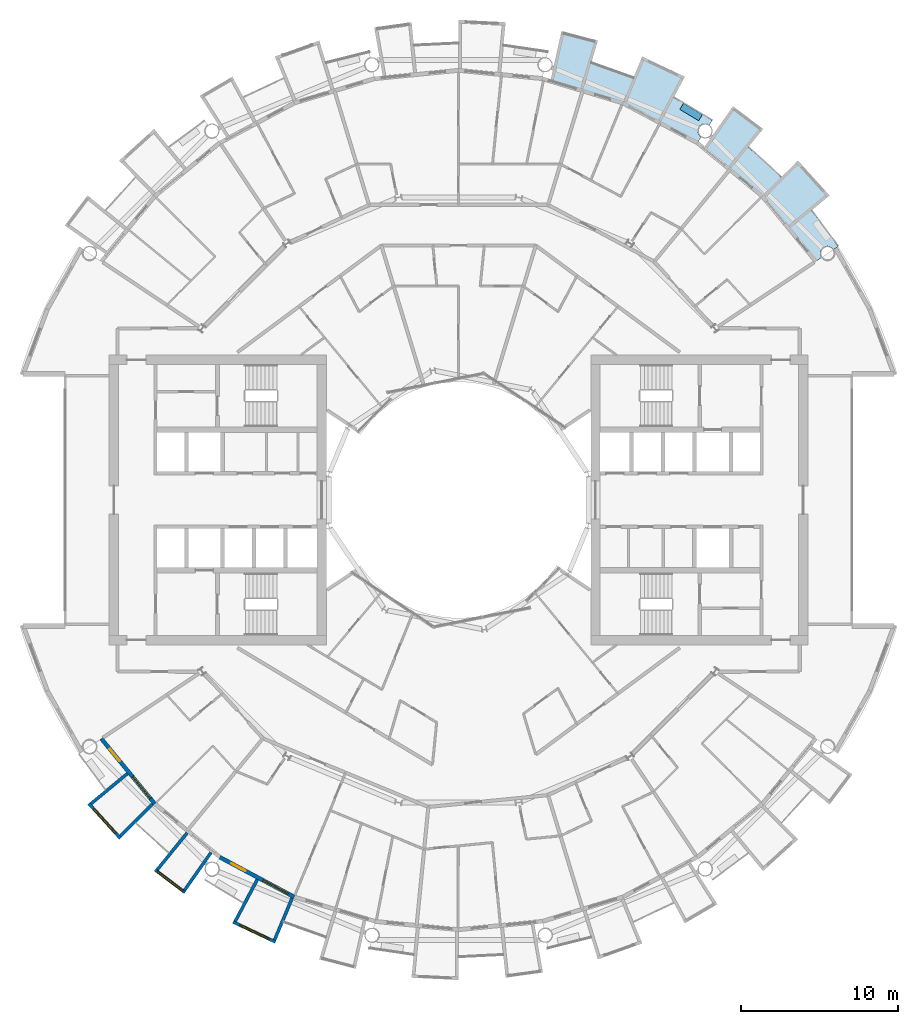
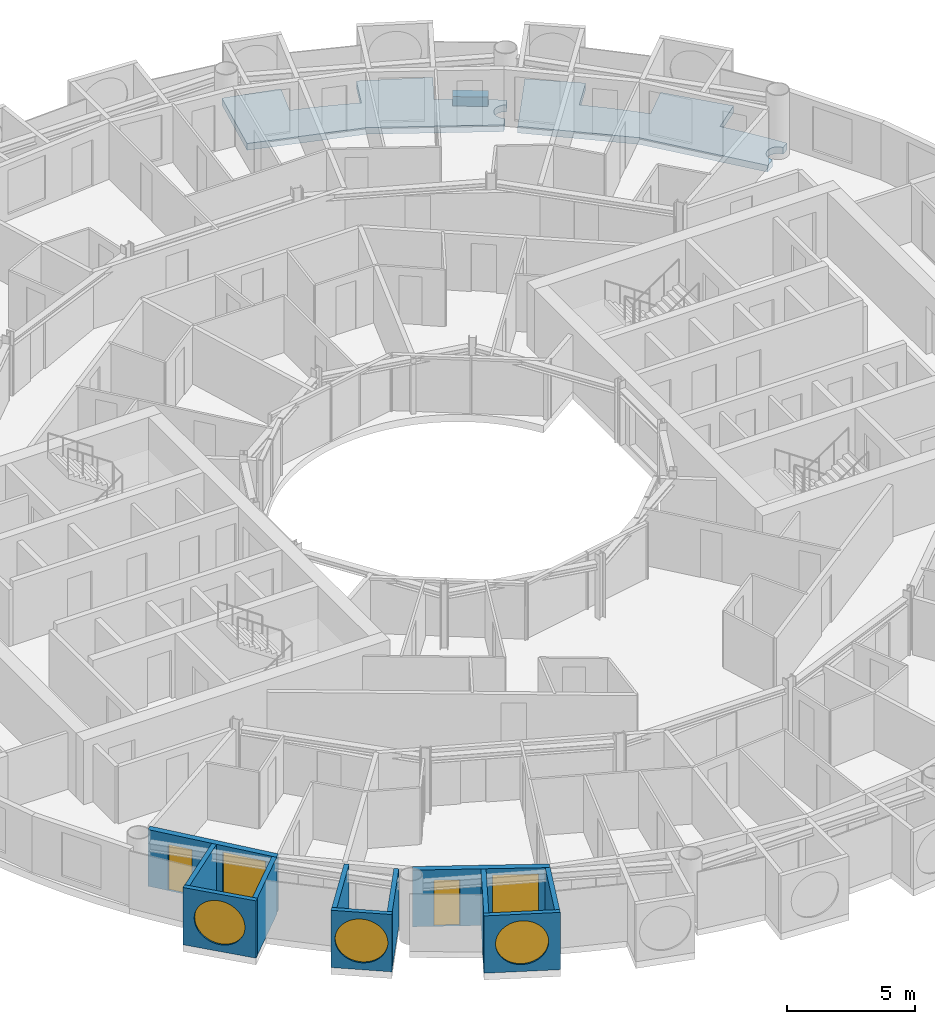
# One storey, part 13 of 27: 11 walls, 5 windows, 3 slabs, 2 doors, 7 openings.
"""IFC4 building model written with IfcOpenShell, lengths in metres."""

from ifc_helpers import new_model, si_unit, direction, frame, frame_2d, origin, place, context, subcontext, project, spatial, polyline, rectangle, circle, outline, extrude, material, layer, layer_set, type_object, element, fill, save


model = new_model("IFC4")

# Units and contexts
model_context = context("Model", 3, precision=1e-05, world=origin(), true_north=direction((0.0, 1.0)))
body_context = subcontext(model_context, "Body", "Model", "MODEL_VIEW")
ifc_project = project(units=[si_unit("LENGTHUNIT", "METRE"), si_unit("AREAUNIT", "SQUARE_METRE"), si_unit("VOLUMEUNIT", "CUBIC_METRE"), si_unit("PLANEANGLEUNIT", "RADIAN"), si_unit("MASSUNIT", "GRAM", prefix="KILO")], contexts=[model_context])

# Site, building, storey
site_placement = place(None, origin())
site = spatial("IfcSite", under=ifc_project, at=site_placement, CompositionType="ELEMENT")
building_placement = place(site_placement, origin())
building = spatial("IfcBuilding", under=site, at=building_placement, Name="Maasbend Ring Residences", CompositionType="ELEMENT")
storey_placement = place(building_placement, frame((0.0, 0.0, 120.800048828125)))
storey = spatial("IfcBuildingStorey", under=building, at=storey_placement, Name="L34", CompositionType="ELEMENT", Elevation=120.800048828125)

# Slabs
ifc_material_1 = material(Name="Planting with climbing greenery")
ifc_layer_1 = layer(ifc_material_1, 0.449951171875)
ifc_layer_set_1 = layer_set([ifc_layer_1], Name="PLANTER-LG")
slab_type_1 = type_object("IfcSlabType", Name="PLANTER-LG", PredefinedType="USERDEFINED", material=ifc_layer_set_1)
slab_1_placement = place(storey_placement, frame((0.0, 0.0, -0.030029296875)))
element("IfcSlab", 1, at=slab_1_placement, inside=storey, type_object=slab_type_1, Name="Planter with climbing greenery 2", ObjectType="PLANTER", PredefinedType="USERDEFINED", context=body_context, shape_type="SweptSolid", body=[
    extrude(outline(polyline([(15.490966796875, 24.48388671875), (14.291015625, 25.2041015625), (14.05908203125, 24.818115234375), (15.260009765625, 24.097900390625), (15.490966796875, 24.48388671875)])), origin(), (0.0, 0.0, 1.0), 0.449951171875),
])
ifc_material_2 = material(Name="Concrete C40/50", Category="concrete")
ifc_layer_2 = layer(ifc_material_2, 0.199951171875)
ifc_layer_set_2 = layer_set([ifc_layer_2], Name="Concrete C40/50")
slab_type_2 = type_object("IfcSlabType", Name="SL-LOGGIA", PredefinedType="FLOOR", material=ifc_layer_set_2)
slab_2_placement = place(storey_placement, frame((0.0, 0.0, -0.35009765625)))
element("IfcSlab", 2, at=slab_2_placement, inside=storey, type_object=slab_type_2, Name="Loggia floor 1", PredefinedType="FLOOR", context=body_context, shape_type="SweptSolid", body=[
    extrude(outline(polyline([(8.85400390625, 29.18701171875), (8.85400390625, 29.18701171875), (8.85400390625, 29.18701171875), (8.41796875, 27.751953125), (8.41796875, 27.751953125), (8.41796875, 27.751953125), (8.41796875, 27.751953125), (8.41796875, 27.751953125), (8.41796875, 27.751953125), (8.41796875, 27.7509765625), (8.41796875, 27.7509765625), (8.41796875, 27.7509765625), (8.41796875, 27.7509765625), (8.41796875, 27.7509765625), (8.4189453125, 27.7509765625), (8.4189453125, 27.7509765625), (8.4189453125, 27.7509765625), (8.4189453125, 27.7509765625), (8.4189453125, 27.7509765625), (8.4189453125, 27.7509765625), (9.322021484375, 27.4609375), (9.322021484375, 27.4609375), (10.215087890625, 27.14111328125), (10.215087890625, 27.14111328125), (11.096923828125, 26.79296875), (11.096923828125, 26.79296875), (11.096923828125, 26.79296875), (11.097900390625, 26.79296875), (11.097900390625, 26.79296875), (11.097900390625, 26.79296875), (11.097900390625, 26.79296875), (11.097900390625, 26.79296875), (11.097900390625, 26.79296875), (11.097900390625, 26.79296875), (11.097900390625, 26.79296875), (11.097900390625, 26.79296875), (11.097900390625, 26.79296875), (11.097900390625, 26.79296875), (11.097900390625, 26.79296875), (11.097900390625, 26.79296875), (11.097900390625, 26.79296875), (11.672119140625, 28.177978515625), (11.672119140625, 28.177978515625), (11.672119140625, 28.177978515625), (14.3779296875, 26.89892578125), (14.3779296875, 26.89892578125), (14.3779296875, 26.89892578125), (13.6708984375, 25.575927734375), (13.6708984375, 25.575927734375), (13.6708984375, 25.575927734375), (13.6708984375, 25.575927734375), (13.6708984375, 25.575927734375), (13.6708984375, 25.575927734375), (13.6708984375, 25.575927734375), (13.6708984375, 25.575927734375), (13.6708984375, 25.575927734375), (13.6708984375, 25.575927734375), (13.6708984375, 25.575927734375), (13.6708984375, 25.575927734375), (13.6708984375, 25.575927734375), (13.6708984375, 25.575927734375), (13.6708984375, 25.575927734375), (13.6708984375, 25.575927734375), (13.6708984375, 25.574951171875), (14.5, 25.114990234375), (14.5, 25.114990234375), (15.31396484375, 24.626953125), (15.31396484375, 24.626953125), (16.112060546875, 24.113037109375), (16.112060546875, 24.113037109375), (16.112060546875, 24.113037109375), (15.9208984375, 23.826904296875), (15.912109375, 23.8330078125), (15.902099609375, 23.839111328125), (15.89208984375, 23.844970703125), (15.883056640625, 23.85009765625), (15.873046875, 23.85595703125), (15.862060546875, 23.861083984375), (15.85205078125, 23.864990234375), (15.842041015625, 23.8701171875), (15.83203125, 23.8740234375), (15.821044921875, 23.8779296875), (15.81005859375, 23.881103515625), (15.800048828125, 23.885009765625), (15.7890625, 23.887939453125), (15.778076171875, 23.89111328125), (15.76708984375, 23.89306640625), (15.756103515625, 23.89599609375), (15.7451171875, 23.89794921875), (15.73388671875, 23.89892578125), (15.722900390625, 23.90087890625), (15.7119140625, 23.902099609375), (15.700927734375, 23.903076171875), (15.68994140625, 23.904052734375), (15.677978515625, 23.904052734375), (15.6669921875, 23.904052734375), (15.656005859375, 23.904052734375), (15.64501953125, 23.904052734375), (15.633056640625, 23.903076171875), (15.6220703125, 23.902099609375), (15.611083984375, 23.90087890625), (15.60009765625, 23.89892578125), (15.589111328125, 23.89794921875), (15.577880859375, 23.89599609375), (15.56689453125, 23.89306640625), (15.555908203125, 23.89111328125), (15.544921875, 23.887939453125), (15.533935546875, 23.885009765625), (15.52392578125, 23.881103515625), (15.512939453125, 23.8779296875), (15.5029296875, 23.8740234375), (15.491943359375, 23.8701171875), (15.48193359375, 23.864990234375), (15.471923828125, 23.861083984375), (15.4619140625, 23.85595703125), (15.451904296875, 23.85009765625), (15.44189453125, 23.844970703125), (15.431884765625, 23.839111328125), (15.423095703125, 23.8330078125), (15.4130859375, 23.826904296875), (15.404052734375, 23.821044921875), (15.39501953125, 23.81396484375), (15.385986328125, 23.80810546875), (15.376953125, 23.801025390625), (15.368896484375, 23.79296875), (15.360107421875, 23.785888671875), (15.35205078125, 23.778076171875), (15.343994140625, 23.77099609375), (15.3359375, 23.762939453125), (15.327880859375, 23.75390625), (15.321044921875, 23.74609375), (15.31396484375, 23.737060546875), (15.306884765625, 23.72900390625), (15.300048828125, 23.719970703125), (15.29296875, 23.7109375), (15.287109375, 23.700927734375), (15.281005859375, 23.69189453125), (15.27490234375, 23.681884765625), (15.26904296875, 23.673095703125), (15.263916015625, 23.6630859375), (15.259033203125, 23.653076171875), (15.25390625, 23.64306640625), (15.2490234375, 23.633056640625), (15.2451171875, 23.6220703125), (15.240966796875, 23.612060546875), (15.237060546875, 23.60107421875), (15.23291015625, 23.591064453125), (15.22998046875, 23.580078125), (15.22705078125, 23.569091796875), (15.22412109375, 23.55810546875), (15.220947265625, 23.548095703125), (15.218994140625, 23.537109375), (15.217041015625, 23.52587890625), (15.215087890625, 23.513916015625), (15.214111328125, 23.5029296875), (15.2119140625, 23.491943359375), (15.2109375, 23.48095703125), (15.2109375, 23.469970703125), (15.2099609375, 23.458984375), (15.2099609375, 23.447021484375), (15.2099609375, 23.43603515625), (15.2109375, 23.425048828125), (15.2109375, 23.4140625), (15.2119140625, 23.403076171875), (15.214111328125, 23.39111328125), (15.215087890625, 23.3798828125), (15.217041015625, 23.368896484375), (15.218994140625, 23.35791015625), (15.220947265625, 23.346923828125), (15.22412109375, 23.3359375), (15.22705078125, 23.325927734375), (15.22998046875, 23.31494140625), (15.23291015625, 23.303955078125), (15.237060546875, 23.29296875), (15.240966796875, 23.282958984375), (15.2451171875, 23.27294921875), (15.2490234375, 23.261962890625), (15.25390625, 23.251953125), (15.259033203125, 23.241943359375), (15.263916015625, 23.23193359375), (15.26904296875, 23.221923828125), (15.27490234375, 23.2119140625), (15.281005859375, 23.202880859375), (15.287109375, 23.194091796875), (15.29296875, 23.18408203125), (15.300048828125, 23.175048828125), (15.306884765625, 23.166015625), (15.31396484375, 23.156982421875), (15.321044921875, 23.14892578125), (15.327880859375, 23.139892578125), (15.3359375, 23.132080078125), (15.343994140625, 23.1240234375), (15.35205078125, 23.115966796875), (15.360107421875, 23.10888671875), (15.368896484375, 23.10107421875), (15.376953125, 23.093994140625), (15.385986328125, 23.0869140625), (15.39501953125, 23.080078125), (15.404052734375, 23.073974609375), (15.4130859375, 23.06689453125), (15.1669921875, 22.698974609375), (15.1669921875, 22.698974609375), (15.1669921875, 22.698974609375), (12.806884765625, 23.9609375), (10.447021484375, 25.221923828125), (10.447021484375, 25.221923828125), (10.447021484375, 25.221923828125), (7.886962890625, 25.9990234375), (5.843994140625, 26.617919921875), (5.843994140625, 26.617919921875), (5.843994140625, 26.617919921875), (6.5400390625, 29.791015625), (6.5400390625, 29.791015625), (6.5400390625, 29.791015625), (8.85400390625, 29.18701171875)])), origin(), (0.0, 0.0, 1.0), 0.320068359375),
])
slab_3_placement = place(storey_placement, frame((0.0, 0.0, -0.35009765625)))
element("IfcSlab", 3, at=slab_3_placement, inside=storey, type_object=slab_type_2, Name="Loggia floor 4", PredefinedType="FLOOR", context=body_context, shape_type="SweptSolid", body=[
    extrude(outline(polyline([(19.34912109375, 23.576904296875), (19.34912109375, 23.576904296875), (19.34912109375, 23.576904296875), (18.39794921875, 22.41796875), (18.39794921875, 22.41796875), (18.39794921875, 22.41796875), (18.39794921875, 22.41796875), (18.39794921875, 22.41796875), (18.39794921875, 22.4169921875), (18.39794921875, 22.4169921875), (18.39794921875, 22.4169921875), (18.39794921875, 22.4169921875), (18.39794921875, 22.4169921875), (18.39794921875, 22.4169921875), (18.39794921875, 22.4169921875), (18.39794921875, 22.4169921875), (18.39794921875, 22.4169921875), (18.39794921875, 22.4169921875), (18.39794921875, 22.4169921875), (18.39794921875, 22.4169921875), (19.12109375, 21.802978515625), (19.12109375, 21.802978515625), (19.823974609375, 21.166015625), (19.823974609375, 21.166015625), (20.506103515625, 20.506103515625), (20.506103515625, 20.506103515625), (20.506103515625, 20.506103515625), (20.506103515625, 20.506103515625), (20.506103515625, 20.506103515625), (20.506103515625, 20.506103515625), (20.506103515625, 20.506103515625), (20.506103515625, 20.506103515625), (20.506103515625, 20.506103515625), (20.506103515625, 20.506103515625), (20.506103515625, 20.506103515625), (20.506103515625, 20.506103515625), (20.506103515625, 20.506103515625), (20.506103515625, 20.506103515625), (20.506103515625, 20.506103515625), (20.506103515625, 20.506103515625), (20.506103515625, 20.506103515625), (21.56689453125, 21.56689453125), (21.56689453125, 21.56689453125), (21.56689453125, 21.56689453125), (23.576904296875, 19.34912109375), (23.576904296875, 19.34912109375), (23.576904296875, 19.34912109375), (22.41796875, 18.39794921875), (22.41796875, 18.39794921875), (22.41796875, 18.39794921875), (22.41796875, 18.39794921875), (22.41796875, 18.39794921875), (22.41796875, 18.39794921875), (22.41796875, 18.39697265625), (22.41796875, 18.39697265625), (22.41796875, 18.39697265625), (22.41796875, 18.39697265625), (22.41796875, 18.39697265625), (22.41796875, 18.39697265625), (22.41796875, 18.39697265625), (22.41796875, 18.39697265625), (22.41796875, 18.39697265625), (22.41796875, 18.39697265625), (22.41796875, 18.39697265625), (23.007080078125, 17.654052734375), (23.007080078125, 17.654052734375), (23.572998046875, 16.89208984375), (23.572998046875, 16.89208984375), (24.113037109375, 16.112060546875), (24.113037109375, 16.112060546875), (24.113037109375, 16.112060546875), (23.826904296875, 15.9208984375), (23.826904296875, 15.9208984375), (23.821044921875, 15.929931640625), (23.81396484375, 15.93896484375), (23.80810546875, 15.947998046875), (23.801025390625, 15.95703125), (23.79296875, 15.966064453125), (23.785888671875, 15.97412109375), (23.778076171875, 15.98193359375), (23.77099609375, 15.989990234375), (23.762939453125, 15.998046875), (23.75390625, 16.006103515625), (23.74609375, 16.012939453125), (23.737060546875, 16.02001953125), (23.72900390625, 16.027099609375), (23.719970703125, 16.033935546875), (23.7109375, 16.041015625), (23.700927734375, 16.047119140625), (23.69189453125, 16.052978515625), (23.681884765625, 16.05908203125), (23.673095703125, 16.06494140625), (23.6630859375, 16.070068359375), (23.653076171875, 16.074951171875), (23.64306640625, 16.080078125), (23.633056640625, 16.0849609375), (23.6220703125, 16.089111328125), (23.612060546875, 16.093017578125), (23.60107421875, 16.096923828125), (23.591064453125, 16.10107421875), (23.580078125, 16.10400390625), (23.569091796875, 16.10791015625), (23.55810546875, 16.110107421875), (23.548095703125, 16.113037109375), (23.537109375, 16.114990234375), (23.52587890625, 16.116943359375), (23.513916015625, 16.118896484375), (23.5029296875, 16.12109375), (23.491943359375, 16.1220703125), (23.48095703125, 16.123046875), (23.469970703125, 16.1240234375), (23.458984375, 16.1240234375), (23.447021484375, 16.1240234375), (23.43603515625, 16.1240234375), (23.425048828125, 16.1240234375), (23.4140625, 16.123046875), (23.403076171875, 16.1220703125), (23.39111328125, 16.12109375), (23.3798828125, 16.118896484375), (23.368896484375, 16.116943359375), (23.35791015625, 16.114990234375), (23.346923828125, 16.113037109375), (23.3359375, 16.110107421875), (23.325927734375, 16.10791015625), (23.31494140625, 16.10400390625), (23.303955078125, 16.10107421875), (23.29296875, 16.096923828125), (23.282958984375, 16.093017578125), (23.27294921875, 16.089111328125), (23.261962890625, 16.0849609375), (23.251953125, 16.080078125), (23.241943359375, 16.074951171875), (23.23193359375, 16.070068359375), (23.221923828125, 16.06494140625), (23.2119140625, 16.05908203125), (23.202880859375, 16.052978515625), (23.194091796875, 16.047119140625), (23.18408203125, 16.041015625), (23.175048828125, 16.033935546875), (23.166015625, 16.027099609375), (23.156982421875, 16.02001953125), (23.14892578125, 16.012939453125), (23.139892578125, 16.006103515625), (23.132080078125, 15.998046875), (23.1240234375, 15.989990234375), (23.115966796875, 15.98193359375), (23.10888671875, 15.97412109375), (23.10107421875, 15.966064453125), (23.093994140625, 15.95703125), (23.0869140625, 15.947998046875), (23.080078125, 15.93896484375), (23.073974609375, 15.929931640625), (23.06689453125, 15.9208984375), (23.06103515625, 15.912109375), (23.054931640625, 15.902099609375), (23.050048828125, 15.89208984375), (23.0439453125, 15.883056640625), (23.0390625, 15.873046875), (23.033935546875, 15.862060546875), (23.030029296875, 15.85205078125), (23.02490234375, 15.842041015625), (23.02099609375, 15.83203125), (23.01708984375, 15.821044921875), (23.012939453125, 15.81005859375), (23.010009765625, 15.800048828125), (23.007080078125, 15.7890625), (23.00390625, 15.778076171875), (23.001953125, 15.76708984375), (22.9990234375, 15.756103515625), (22.9970703125, 15.7451171875), (22.9951171875, 15.73388671875), (22.993896484375, 15.722900390625), (22.992919921875, 15.7119140625), (22.991943359375, 15.700927734375), (22.990966796875, 15.68994140625), (22.990966796875, 15.677978515625), (22.989990234375, 15.6669921875), (22.990966796875, 15.656005859375), (22.990966796875, 15.64501953125), (22.991943359375, 15.633056640625), (22.992919921875, 15.6220703125), (22.993896484375, 15.611083984375), (22.9951171875, 15.60009765625), (22.9970703125, 15.589111328125), (22.9990234375, 15.577880859375), (23.001953125, 15.56689453125), (23.00390625, 15.555908203125), (23.007080078125, 15.544921875), (23.010009765625, 15.533935546875), (23.012939453125, 15.52392578125), (23.01708984375, 15.512939453125), (23.02099609375, 15.5029296875), (23.02490234375, 15.491943359375), (23.030029296875, 15.48193359375), (23.033935546875, 15.471923828125), (23.0390625, 15.4619140625), (23.0439453125, 15.451904296875), (23.050048828125, 15.44189453125), (23.054931640625, 15.431884765625), (23.06103515625, 15.423095703125), (23.06689453125, 15.4130859375), (23.06689453125, 15.4130859375), (22.698974609375, 15.1669921875), (22.698974609375, 15.1669921875), (22.698974609375, 15.1669921875), (21.001953125, 17.236083984375), (19.303955078125, 19.303955078125), (19.303955078125, 19.303955078125), (19.303955078125, 19.303955078125), (17.236083984375, 21.001953125), (15.5849609375, 22.35595703125), (15.5849609375, 22.35595703125), (15.5849609375, 22.35595703125), (17.44189453125, 25.02001953125), (17.44189453125, 25.02001953125), (17.44189453125, 25.02001953125), (19.34912109375, 23.576904296875)])), origin(), (0.0, 0.0, 1.0), 0.320068359375),
])

# Wall, opening, window
ifc_material_3 = material(Name="Pale anodised aluminium panel", Category="aluminium")
ifc_layer_3 = layer(ifc_material_3, 0.199951171875)
ifc_layer_set_3 = layer_set([ifc_layer_3], Name="EW-BOX")
wall_type_1 = type_object("IfcWallType", Name="EW-BOX", PredefinedType="SOLIDWALL", material=ifc_layer_set_3)
wall_1_placement = place(storey_placement, frame((-23.5029296875, -19.281982421875, -0.030029296875), z_axis=(0.0, 0.0, 1.0), x_axis=(0.671506829416, -0.740998365753, 0.0)))
wall_1 = element("IfcWall", 4, at=wall_1_placement, inside=storey, type_object=wall_type_1, Name="Box front S02", PredefinedType="SOLIDWALL", context=body_context, shape_type="SweptSolid", body=[
    extrude(rectangle(XDim=2.9931640625, YDim=0.199951171875, at=frame_2d((1.49658203125, 0.0))), origin(), (0.0, 0.0, 1.0), 2.72998046875),
])
opening_1_placement = place(wall_1_placement, frame((0.45654296875, 0.0, 0.330078125)))
opening_1 = element("IfcOpeningElement", 5, at=opening_1_placement, cuts=wall_1, Name="Opening W-RD", PredefinedType="OPENING", context=body_context, shape_type="SweptSolid", body=[
    extrude(circle(Radius=1.0400390625, at=frame_2d((1.0400390625, 1.0400390625))), frame((0.0, 0.10986328125, 0.0), z_axis=(0.0, -1.0, 0.0), x_axis=(1.0, 0.0, 0.0)), (0.0, 0.0, 1.0), 0.219970703125),
])
ifc_material_4 = material(Name="Aluminium and clear glass", Category="aluminium")
window_type_1 = type_object("IfcWindowType", Name="W-RD", PartitioningType="SINGLE_PANEL", PredefinedType="WINDOW", material=ifc_material_4)
window_1_placement = place(opening_1_placement, origin())
window_1 = element("IfcWindow", 6, at=window_1_placement, inside=storey, type_object=window_type_1, Name="Round window S02", OverallHeight=2.080078125, OverallWidth=2.080078125, PartitioningType="SINGLE_PANEL", PredefinedType="WINDOW", context=body_context, shape_type="SweptSolid", body=[
    extrude(circle(Radius=1.0400390625, at=frame_2d((1.0400390625, 1.0400390625))), frame((0.0, 0.030029296875, 0.0), z_axis=(0.0, -1.0, 0.0), x_axis=(1.0, 0.0, 0.0)), (0.0, 0.0, 1.0), 0.06005859375),
])
fill(opening_1, window_1)

# Walls
wall_2_placement = place(storey_placement, frame((-21.041015625, -17.384033203125, -0.030029296875), z_axis=(0.0, 0.0, 1.0), x_axis=(-0.770784861449, -0.63709551667, 0.0)))
element("IfcWall", 7, at=wall_2_placement, inside=storey, type_object=wall_type_1, Name="Box side wall S02 left", PredefinedType="SOLIDWALL", context=body_context, shape_type="SweptSolid", body=[
    extrude(rectangle(XDim=3.005859375, YDim=0.199951171875, at=frame_2d((1.5029296875, 0.0))), origin(), (0.0, 0.0, 1.0), 2.72998046875),
])
wall_3_placement = place(storey_placement, frame((-19.449951171875, -19.322998046875, -0.030029296875), z_axis=(0.0, 0.0, 1.0), x_axis=(-0.709727076896, -0.704476739375, 0.0)))
element("IfcWall", 8, at=wall_3_placement, inside=storey, type_object=wall_type_1, Name="Box side wall S02 right", PredefinedType="SOLIDWALL", context=body_context, shape_type="SweptSolid", body=[
    extrude(rectangle(XDim=2.883056640625, YDim=0.199951171875, at=frame_2d((1.44140625, 0.0))), origin(), (0.0, 0.0, 1.0), 2.72998046875),
])

# Wall, opening, window
wall_4_placement = place(storey_placement, frame((-19.2890625, -23.4970703125, -0.030029296875), z_axis=(0.0, 0.0, 1.0), x_axis=(0.797456837111, -0.603375996329, 0.0)))
wall_4 = element("IfcWall", 9, at=wall_4_placement, inside=storey, type_object=wall_type_1, Name="Box front S04", PredefinedType="SOLIDWALL", context=body_context, shape_type="SweptSolid", body=[
    extrude(rectangle(XDim=2.391357421875, YDim=0.199951171875, at=frame_2d((1.19580078125, 0.0))), origin(), (0.0, 0.0, 1.0), 2.72998046875),
])
opening_2_placement = place(wall_4_placement, frame((0.15576171875, 0.0, 0.330078125)))
opening_2 = element("IfcOpeningElement", 10, at=opening_2_placement, cuts=wall_4, Name="Opening W-RD", PredefinedType="OPENING", context=body_context, shape_type="SweptSolid", body=[
    extrude(circle(Radius=1.0400390625, at=frame_2d((1.0400390625, 1.0400390625))), frame((0.0, 0.10986328125, 0.0), z_axis=(0.0, -1.0, 0.0), x_axis=(1.0, 0.0, 0.0)), (0.0, 0.0, 1.0), 0.219970703125),
])
window_2_placement = place(opening_2_placement, origin())
window_2 = element("IfcWindow", 11, at=window_2_placement, inside=storey, type_object=window_type_1, Name="Round window S04", OverallHeight=2.080078125, OverallWidth=2.080078125, PartitioningType="SINGLE_PANEL", PredefinedType="WINDOW", context=body_context, shape_type="SweptSolid", body=[
    extrude(circle(Radius=1.0400390625, at=frame_2d((1.0400390625, 1.0400390625))), frame((0.0, 0.030029296875, 0.0), z_axis=(0.0, -1.0, 0.0), x_axis=(1.0, 0.0, 0.0)), (0.0, 0.0, 1.0), 0.06005859375),
])
fill(opening_2, window_2)

# Walls
wall_5_placement = place(storey_placement, frame((-17.24609375, -21.155029296875, -0.030029296875), z_axis=(0.0, 0.0, 1.0), x_axis=(-0.631741648902, -0.775179004516, 0.0)))
element("IfcWall", 12, at=wall_5_placement, inside=storey, type_object=wall_type_1, Name="Box side wall S04 left", PredefinedType="SOLIDWALL", context=body_context, shape_type="SweptSolid", body=[
    extrude(rectangle(XDim=3.005859375, YDim=0.199951171875, at=frame_2d((1.5029296875, 0.0))), origin(), (0.0, 0.0, 1.0), 2.72998046875),
])
wall_6_placement = place(storey_placement, frame((-15.72607421875, -22.402099609375, -0.030029296875), z_axis=(0.0, 0.0, 1.0), x_axis=(-0.574826383135, -0.818275399393, 0.0)))
element("IfcWall", 13, at=wall_6_placement, inside=storey, type_object=wall_type_1, Name="Box side wall S04 right", PredefinedType="SOLIDWALL", context=body_context, shape_type="SweptSolid", body=[
    extrude(rectangle(XDim=2.92919921875, YDim=0.199951171875, at=frame_2d((1.464599609375, 0.0))), origin(), (0.0, 0.0, 1.0), 2.72998046875),
])

# Wall, opening, window
wall_7_placement = place(storey_placement, frame((-14.3349609375, -26.80810546875, -0.030029296875), z_axis=(0.0, 0.0, 1.0), x_axis=(0.904000060331, -0.427532327342, 0.0)))
wall_7 = element("IfcWall", 14, at=wall_7_placement, inside=storey, type_object=wall_type_1, Name="Box front S06", PredefinedType="SOLIDWALL", context=body_context, shape_type="SweptSolid", body=[
    extrude(rectangle(XDim=2.993408203125, YDim=0.199951171875, at=frame_2d((1.49658203125, 0.0))), origin(), (0.0, 0.0, 1.0), 2.72998046875),
])
opening_3_placement = place(wall_7_placement, frame((0.45654296875, 0.0, 0.330078125)))
opening_3 = element("IfcOpeningElement", 15, at=opening_3_placement, cuts=wall_7, Name="Opening W-RD", PredefinedType="OPENING", context=body_context, shape_type="SweptSolid", body=[
    extrude(circle(Radius=1.0400390625, at=frame_2d((1.0400390625, 1.0400390625))), frame((0.0, 0.10986328125, 0.0), z_axis=(0.0, -1.0, 0.0), x_axis=(1.0, 0.0, 0.0)), (0.0, 0.0, 1.0), 0.219970703125),
])
window_3_placement = place(opening_3_placement, origin())
window_3 = element("IfcWindow", 16, at=window_3_placement, inside=storey, type_object=window_type_1, Name="Round window S06", OverallHeight=2.080078125, OverallWidth=2.080078125, PartitioningType="SINGLE_PANEL", PredefinedType="WINDOW", context=body_context, shape_type="SweptSolid", body=[
    extrude(circle(Radius=1.0400390625, at=frame_2d((1.0400390625, 1.0400390625))), frame((0.0, 0.030029296875, 0.0), z_axis=(0.0, -1.0, 0.0), x_axis=(1.0, 0.0, 0.0)), (0.0, 0.0, 1.0), 0.06005859375),
])
fill(opening_3, window_3)

# Walls
wall_8_placement = place(storey_placement, frame((-12.787109375, -24.113037109375, -0.030029296875), z_axis=(0.0, 0.0, 1.0), x_axis=(-0.468365282436, -0.883534924159, 0.0)))
element("IfcWall", 17, at=wall_8_placement, inside=storey, type_object=wall_type_1, Name="Box side wall S06 left", PredefinedType="SOLIDWALL", context=body_context, shape_type="SweptSolid", body=[
    extrude(rectangle(XDim=3.006103515625, YDim=0.199951171875, at=frame_2d((1.5029296875, 0.0))), origin(), (0.0, 0.0, 1.0), 2.72998046875),
])
wall_9_placement = place(storey_placement, frame((-10.574951171875, -25.294921875, -0.030029296875), z_axis=(0.0, 0.0, 1.0), x_axis=(-0.385697364644, -0.922625353492, 0.0)))
element("IfcWall", 18, at=wall_9_placement, inside=storey, type_object=wall_type_1, Name="Box side wall S06 right", PredefinedType="SOLIDWALL", context=body_context, shape_type="SweptSolid", body=[
    extrude(rectangle(XDim=2.88330078125, YDim=0.199951171875, at=frame_2d((1.441650390625, 0.0))), origin(), (0.0, 0.0, 1.0), 2.72998046875),
])

# Wall, openings, door, window
ifc_material_5 = material(Name="Aluminium clad insulated panel", Category="aluminium")
ifc_layer_4 = layer(ifc_material_5, 0.25)
ifc_layer_set_4 = layer_set([ifc_layer_4], Name="EW-GL")
wall_type_2 = type_object("IfcWallType", Name="EW-GL", PredefinedType="SOLIDWALL", material=ifc_layer_set_4)
wall_10_placement = place(storey_placement, frame((-22.698974609375, -15.1669921875, 0.0), z_axis=(0.0, 0.0, 1.0), x_axis=(0.634382322723, -0.773019449054, 0.0)))
wall_10 = element("IfcWall", 19, at=wall_10_placement, inside=storey, type_object=wall_type_2, Name="External wall S01", PredefinedType="SOLIDWALL", context=body_context, shape_type="SweptSolid", body=[
    extrude(rectangle(XDim=5.351806640625, YDim=0.25, at=frame_2d((2.67578125, 0.0))), origin(), (0.0, 0.0, 1.0), 2.699951171875),
])
opening_4_placement = place(wall_10_placement, frame((0.841064453125, 0.0, 0.0)))
opening_4 = element("IfcOpeningElement", 20, at=opening_4_placement, cuts=wall_10, Name="Opening D-LG", PredefinedType="OPENING", context=body_context, shape_type="SweptSolid", body=[
    extrude(rectangle(XDim=1.0, YDim=2.199951171875, at=frame_2d((0.5, 1.10009765625))), frame((0.0, 0.135009765625, 0.0), z_axis=(0.0, -1.0, 0.0), x_axis=(1.0, 0.0, 0.0)), (0.0, 0.0, 1.0), 0.27001953125),
])
opening_5_placement = place(wall_10_placement, frame((3.110595703125, 0.0, 0.300048828125)))
opening_5 = element("IfcOpeningElement", 21, at=opening_5_placement, cuts=wall_10, Name="Opening W-BX", PredefinedType="OPENING", context=body_context, shape_type="SweptSolid", body=[
    extrude(rectangle(XDim=1.800048828125, YDim=2.10009765625, at=frame_2d((0.89990234375, 1.050048828125))), frame((0.0, 0.135009765625, 0.0), z_axis=(0.0, -1.0, 0.0), x_axis=(1.0, 0.0, 0.0)), (0.0, 0.0, 1.0), 0.27001953125),
])
ifc_material_6 = material(Name="Aluminium and clear glass", Category="aluminium")
door_type = type_object("IfcDoorType", Name="D-LG", OperationType="SINGLE_SWING_LEFT", PredefinedType="DOOR", material=ifc_material_6)
door_1_placement = place(opening_4_placement, origin())
door_1 = element("IfcDoor", 22, at=door_1_placement, inside=storey, type_object=door_type, Name="Loggia door S01", OperationType="SINGLE_SWING_LEFT", OverallHeight=2.199951171875, OverallWidth=1.0, PredefinedType="DOOR", context=body_context, shape_type="SweptSolid", body=[
    extrude(rectangle(XDim=1.0, YDim=2.199951171875, at=frame_2d((0.5, 1.10009765625))), frame((0.0, 0.02490234375, 0.0), z_axis=(0.0, -1.0, 0.0), x_axis=(1.0, 0.0, 0.0)), (0.0, 0.0, 1.0), 0.050048828125),
])
fill(opening_4, door_1)
ifc_material_7 = material(Name="Aluminium and clear glass", Category="aluminium")
window_type_2 = type_object("IfcWindowType", Name="W-BX", PartitioningType="DOUBLE_PANEL_VERTICAL", PredefinedType="WINDOW", material=ifc_material_7)
window_4_placement = place(opening_5_placement, origin())
window_4 = element("IfcWindow", 23, at=window_4_placement, inside=storey, type_object=window_type_2, Name="Window S02 room to box", OverallHeight=2.10009765625, OverallWidth=1.800048828125, PartitioningType="SINGLE_PANEL", PredefinedType="WINDOW", context=body_context, shape_type="SweptSolid", body=[
    extrude(rectangle(XDim=1.800048828125, YDim=2.10009765625, at=frame_2d((0.89990234375, 1.050048828125))), frame((0.0, 0.030029296875, 0.0), z_axis=(0.0, -1.0, 0.0), x_axis=(1.0, 0.0, 0.0)), (0.0, 0.0, 1.0), 0.06005859375),
])
fill(opening_5, window_4)

wall_11_placement = place(storey_placement, frame((-15.1669921875, -22.698974609375, 0.0), z_axis=(0.0, 0.0, 1.0), x_axis=(0.881915646801, -0.471407246368, 0.0)))
wall_11 = element("IfcWall", 24, at=wall_11_placement, inside=storey, type_object=wall_type_2, Name="External wall S03", PredefinedType="SOLIDWALL", context=body_context, shape_type="SweptSolid", body=[
    extrude(rectangle(XDim=5.35205078125, YDim=0.25, at=frame_2d((2.676025390625, 0.0))), origin(), (0.0, 0.0, 1.0), 2.699951171875),
])
opening_6_placement = place(wall_11_placement, frame((0.841064453125, 0.0, 0.0)))
opening_6 = element("IfcOpeningElement", 25, at=opening_6_placement, cuts=wall_11, Name="Opening D-LG", PredefinedType="OPENING", context=body_context, shape_type="SweptSolid", body=[
    extrude(rectangle(XDim=1.0, YDim=2.199951171875, at=frame_2d((0.5, 1.10009765625))), frame((0.0, 0.135009765625, 0.0), z_axis=(0.0, -1.0, 0.0), x_axis=(1.0, 0.0, 0.0)), (0.0, 0.0, 1.0), 0.27001953125),
])
opening_7_placement = place(wall_11_placement, frame((3.110595703125, 0.0, 0.300048828125)))
opening_7 = element("IfcOpeningElement", 26, at=opening_7_placement, cuts=wall_11, Name="Opening W-BX", PredefinedType="OPENING", context=body_context, shape_type="SweptSolid", body=[
    extrude(rectangle(XDim=1.800048828125, YDim=2.10009765625, at=frame_2d((0.89990234375, 1.050048828125))), frame((0.0, 0.135009765625, 0.0), z_axis=(0.0, -1.0, 0.0), x_axis=(1.0, 0.0, 0.0)), (0.0, 0.0, 1.0), 0.27001953125),
])
door_2_placement = place(opening_6_placement, origin())
door_2 = element("IfcDoor", 27, at=door_2_placement, inside=storey, type_object=door_type, Name="Loggia door S05", OperationType="SINGLE_SWING_LEFT", OverallHeight=2.199951171875, OverallWidth=1.0, PredefinedType="DOOR", context=body_context, shape_type="SweptSolid", body=[
    extrude(rectangle(XDim=1.0, YDim=2.199951171875, at=frame_2d((0.5, 1.10009765625))), frame((0.0, 0.02490234375, 0.0), z_axis=(0.0, -1.0, 0.0), x_axis=(1.0, 0.0, 0.0)), (0.0, 0.0, 1.0), 0.050048828125),
])
fill(opening_6, door_2)
window_5_placement = place(opening_7_placement, origin())
window_5 = element("IfcWindow", 28, at=window_5_placement, inside=storey, type_object=window_type_2, Name="Window S06 room to box", OverallHeight=2.10009765625, OverallWidth=1.800048828125, PartitioningType="SINGLE_PANEL", PredefinedType="WINDOW", context=body_context, shape_type="SweptSolid", body=[
    extrude(rectangle(XDim=1.800048828125, YDim=2.10009765625, at=frame_2d((0.89990234375, 1.050048828125))), frame((0.0, 0.030029296875, 0.0), z_axis=(0.0, -1.0, 0.0), x_axis=(1.0, 0.0, 0.0)), (0.0, 0.0, 1.0), 0.06005859375),
])
fill(opening_7, window_5)

save(model, "model.ifc")
